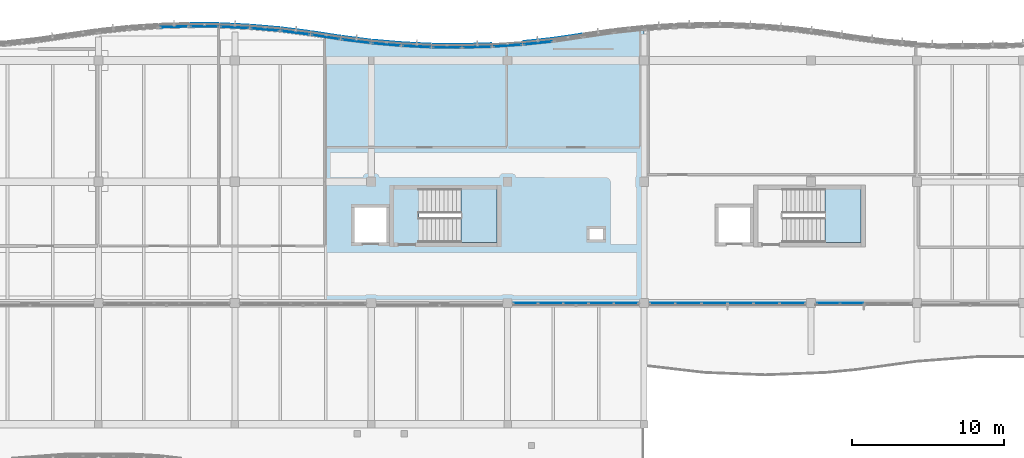
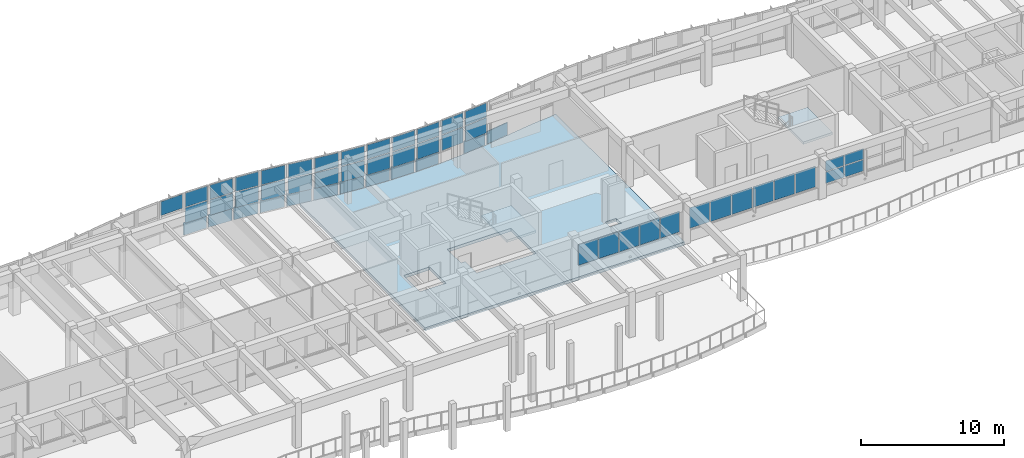
# One storey, part 50 of 89: 52 plates, 3 slabs, 18 elements without a shape of their own.
"""IFC4 building model written with IfcOpenShell, lengths in metres."""

from ifc_helpers import new_model, si_unit, direction, frame, origin, origin_2d, place, context, subcontext, project, spatial, polyline, rectangle, outline, extrude, material, layer, layer_set, type_object, element, aggregate, save


model = new_model("IFC4")

# Units and contexts
model_context = context("Model", 3, precision=1e-05, world=origin(), true_north=direction((0.0, 1.0)))
body_context = subcontext(model_context, "Body", "Model", "MODEL_VIEW")
ifc_project = project(units=[si_unit("LENGTHUNIT", "METRE"), si_unit("AREAUNIT", "SQUARE_METRE"), si_unit("VOLUMEUNIT", "CUBIC_METRE"), si_unit("PLANEANGLEUNIT", "RADIAN"), si_unit("MASSUNIT", "GRAM", prefix="KILO")], contexts=[model_context])

# Site, building, storey
site_placement = place(None, origin())
site = spatial("IfcSite", under=ifc_project, at=site_placement, CompositionType="ELEMENT")
building_placement = place(site_placement, origin())
building = spatial("IfcBuilding", under=site, at=building_placement, Name="Tonlespit Floodbar School", CompositionType="ELEMENT")
storey_placement = place(building_placement, frame((0.0, 0.0, 4.5)))
storey = spatial("IfcBuildingStorey", under=building, at=storey_placement, Name="L01", CompositionType="ELEMENT", Elevation=4.5)

# Curtain wall, plates
ifc_material_1 = material(Name="Anodised Aluminium", Category="aluminium")
ifc_layer_1 = layer(ifc_material_1, 0.159912109375)
ifc_layer_set_1 = layer_set([ifc_layer_1], Name="Anodised Aluminium")
curtain_wall_type_1 = type_object("IfcCurtainWallType", Name="CurtainWall_1900x2700", PredefinedType="NOTDEFINED", material=ifc_layer_set_1)
curtain_wall_1_placement = place(storey_placement, origin())
curtain_wall_1 = element("IfcCurtainWall", 1, at=curtain_wall_1_placement, inside=storey, type_object=curtain_wall_type_1, Name="L01 unitised curtain wall 0061", PredefinedType="NOTDEFINED")
ifc_material_2 = material(Name="Laminated Low-E Glass", Category="glass")
ifc_layer_2 = layer(ifc_material_2, 0.028076171875)
ifc_layer_set_2 = layer_set([ifc_layer_2], Name="Laminated Low-E Glass")
plate_type_1 = type_object("IfcPlateType", Name="CW_Panel_Glaz_28", PredefinedType="CURTAIN_PANEL", material=ifc_layer_set_2)
plate_1_placement = place(storey_placement, frame((87.0, 122.2373046875, 1.01513671875), z_axis=(0.0, 0.0, 1.0), x_axis=(0.999954083024, -0.009582893292, 0.0)))
plate_1 = element("IfcPlate", 2, at=plate_1_placement, type_object=plate_type_1, Name="CW-05 panel 1.1", PredefinedType="CURTAIN_PANEL", context=body_context, shape_type="SweptSolid", body=[
    extrude(rectangle(XDim=1.7900390625, YDim=0.028076171875, at=origin_2d()), origin(), (0.0, 0.0, 1.0), 1.306396484375),
])
plate_2_placement = place(storey_placement, frame((87.0, 122.2373046875, 2.38671875), z_axis=(0.0, 0.0, 1.0), x_axis=(0.999954083024, -0.009582893292, 0.0)))
plate_2 = element("IfcPlate", 3, at=plate_2_placement, type_object=plate_type_1, Name="CW-05 panel 1.2", PredefinedType="CURTAIN_PANEL", context=body_context, shape_type="SweptSolid", body=[
    extrude(rectangle(XDim=1.7900390625, YDim=0.028076171875, at=origin_2d()), origin(), (0.0, 0.0, 1.0), 1.198486328125),
])
aggregate(curtain_wall_1, [plate_1, plate_2])

ifc_layer_3 = layer(ifc_material_1, 0.159912109375)
ifc_layer_set_3 = layer_set([ifc_layer_3], Name="Anodised Aluminium")
curtain_wall_type_2 = type_object("IfcCurtainWallType", Name="CurtainWall_1950x2700", PredefinedType="NOTDEFINED", material=ifc_layer_set_3)
curtain_wall_2_placement = place(storey_placement, origin())
curtain_wall_2 = element("IfcCurtainWall", 4, at=curtain_wall_2_placement, inside=storey, type_object=curtain_wall_type_2, Name="L01 unitised curtain wall 0065", PredefinedType="NOTDEFINED")
plate_3_placement = place(storey_placement, frame((95.0, 121.550048828125, 1.01513671875), z_axis=(0.0, 0.0, 1.0), x_axis=(0.988102576465, -0.153796288585, 0.0)))
plate_3 = element("IfcPlate", 5, at=plate_3_placement, type_object=plate_type_1, Name="CW-04 panel 1.1", PredefinedType="CURTAIN_PANEL", context=body_context, shape_type="SweptSolid", body=[
    extrude(rectangle(XDim=1.814208984375, YDim=0.028076171875, at=origin_2d()), origin(), (0.0, 0.0, 1.0), 1.306396484375),
])
plate_4_placement = place(storey_placement, frame((95.0, 121.550048828125, 2.38671875), z_axis=(0.0, 0.0, 1.0), x_axis=(0.988102576465, -0.153796288585, 0.0)))
plate_4 = element("IfcPlate", 6, at=plate_4_placement, type_object=plate_type_1, Name="CW-04 panel 1.2", PredefinedType="CURTAIN_PANEL", context=body_context, shape_type="SweptSolid", body=[
    extrude(rectangle(XDim=1.814208984375, YDim=0.028076171875, at=origin_2d()), origin(), (0.0, 0.0, 1.0), 1.198486328125),
])
aggregate(curtain_wall_2, [plate_3, plate_4])

curtain_wall_3_placement = place(storey_placement, origin())
curtain_wall_3 = element("IfcCurtainWall", 7, at=curtain_wall_3_placement, inside=storey, type_object=curtain_wall_type_1, Name="L01 unitised curtain wall 0069", PredefinedType="NOTDEFINED")
plate_5_placement = place(storey_placement, frame((103.0, 120.862548828125, 1.01513671875), z_axis=(0.0, 0.0, 1.0), x_axis=(0.999954083024, -0.009582893292, 0.0)))
plate_5 = element("IfcPlate", 8, at=plate_5_placement, type_object=plate_type_1, Name="CW-05 panel 1.1", PredefinedType="CURTAIN_PANEL", context=body_context, shape_type="SweptSolid", body=[
    extrude(rectangle(XDim=1.7900390625, YDim=0.028076171875, at=origin_2d()), origin(), (0.0, 0.0, 1.0), 1.306396484375),
])
plate_6_placement = place(storey_placement, frame((103.0, 120.862548828125, 2.38671875), z_axis=(0.0, 0.0, 1.0), x_axis=(0.999954083024, -0.009582893292, 0.0)))
plate_6 = element("IfcPlate", 9, at=plate_6_placement, type_object=plate_type_1, Name="CW-05 panel 1.2", PredefinedType="CURTAIN_PANEL", context=body_context, shape_type="SweptSolid", body=[
    extrude(rectangle(XDim=1.7900390625, YDim=0.028076171875, at=origin_2d()), origin(), (0.0, 0.0, 1.0), 1.198486328125),
])
aggregate(curtain_wall_3, [plate_5, plate_6])

ifc_layer_4 = layer(ifc_material_1, 0.159912109375)
ifc_layer_set_4 = layer_set([ifc_layer_4], Name="Anodised Aluminium")
curtain_wall_type_3 = type_object("IfcCurtainWallType", Name="CurtainWall_6300x2050", PredefinedType="NOTDEFINED", material=ifc_layer_set_4)
curtain_wall_4_placement = place(storey_placement, origin())
curtain_wall_4 = element("IfcCurtainWall", 10, at=curtain_wall_4_placement, inside=storey, type_object=curtain_wall_type_3, Name="L01 unitised curtain wall 0409", PredefinedType="NOTDEFINED")
plate_7_placement = place(storey_placement, frame((129.7099609375, 104.0, 1.01513671875), z_axis=(0.0, 0.0, 1.0), x_axis=(-1.0, 0.0, 0.0)))
plate_7 = element("IfcPlate", 11, at=plate_7_placement, type_object=plate_type_1, Name="CW-61 panel 3.1", PredefinedType="CURTAIN_PANEL", context=body_context, shape_type="SweptSolid", body=[
    extrude(rectangle(XDim=1.514892578125, YDim=0.028076171875, at=origin_2d()), origin(), (0.0, 0.0, 1.0), 0.9658203125),
])
plate_8_placement = place(storey_placement, frame((129.7099609375, 104.0, 2.0458984375), z_axis=(0.0, 0.0, 1.0), x_axis=(-1.0, 0.0, 0.0)))
plate_8 = element("IfcPlate", 12, at=plate_8_placement, type_object=plate_type_1, Name="CW-61 panel 3.2", PredefinedType="CURTAIN_PANEL", context=body_context, shape_type="SweptSolid", body=[
    extrude(rectangle(XDim=1.514892578125, YDim=0.028076171875, at=origin_2d()), origin(), (0.0, 0.0, 1.0), 0.884033203125),
])
plate_9_placement = place(storey_placement, frame((128.146240234375, 104.0, 1.01513671875), z_axis=(0.0, 0.0, 1.0), x_axis=(-1.0, 0.0, 0.0)))
plate_9 = element("IfcPlate", 13, at=plate_9_placement, type_object=plate_type_1, Name="CW-61 panel 4.1", PredefinedType="CURTAIN_PANEL", context=body_context, shape_type="SweptSolid", body=[
    extrude(rectangle(XDim=1.482421875, YDim=0.028076171875, at=origin_2d()), origin(), (0.0, 0.0, 1.0), 0.9658203125),
])
plate_10_placement = place(storey_placement, frame((128.146240234375, 104.0, 2.0458984375), z_axis=(0.0, 0.0, 1.0), x_axis=(-1.0, 0.0, 0.0)))
plate_10 = element("IfcPlate", 14, at=plate_10_placement, type_object=plate_type_1, Name="CW-61 panel 4.2", PredefinedType="CURTAIN_PANEL", context=body_context, shape_type="SweptSolid", body=[
    extrude(rectangle(XDim=1.482421875, YDim=0.028076171875, at=origin_2d()), origin(), (0.0, 0.0, 1.0), 0.884033203125),
])
aggregate(curtain_wall_4, [plate_7, plate_8, plate_9, plate_10])

curtain_wall_5_placement = place(storey_placement, origin())
curtain_wall_5 = element("IfcCurtainWall", 15, at=curtain_wall_5_placement, inside=storey, type_object=curtain_wall_type_1, Name="L01 unitised curtain wall 0062", PredefinedType="NOTDEFINED")
ifc_layer_5 = layer(ifc_material_2, 0.031982421875)
ifc_layer_set_5 = layer_set([ifc_layer_5], Name="Laminated Low-E Glass")
plate_type_2 = type_object("IfcPlateType", Name="CW_Panel_Glaz_32", PredefinedType="CURTAIN_PANEL", material=ifc_layer_set_5)
plate_11_placement = place(storey_placement, frame((89.0, 122.1796875, 1.01513671875), z_axis=(0.0, 0.0, 1.0), x_axis=(0.998841500616, -0.048121270216, 0.0)))
plate_11 = element("IfcPlate", 16, at=plate_11_placement, type_object=plate_type_2, Name="CW-05 panel 1.1", PredefinedType="CURTAIN_PANEL", context=body_context, shape_type="SweptSolid", body=[
    extrude(rectangle(XDim=1.792236328125, YDim=0.031982421875, at=origin_2d()), origin(), (0.0, 0.0, 1.0), 1.306396484375),
])
plate_12_placement = place(storey_placement, frame((89.0, 122.1796875, 2.38671875), z_axis=(0.0, 0.0, 1.0), x_axis=(0.998841500616, -0.048121270216, 0.0)))
plate_12 = element("IfcPlate", 17, at=plate_12_placement, type_object=plate_type_2, Name="CW-05 panel 1.2", PredefinedType="CURTAIN_PANEL", context=body_context, shape_type="SweptSolid", body=[
    extrude(rectangle(XDim=1.792236328125, YDim=0.031982421875, at=origin_2d()), origin(), (0.0, 0.0, 1.0), 1.198486328125),
])
aggregate(curtain_wall_5, [plate_11, plate_12])

curtain_wall_6_placement = place(storey_placement, origin())
curtain_wall_6 = element("IfcCurtainWall", 18, at=curtain_wall_6_placement, inside=storey, type_object=curtain_wall_type_2, Name="L01 unitised curtain wall 0066", PredefinedType="NOTDEFINED")
plate_13_placement = place(storey_placement, frame((97.0, 121.268310546875, 1.01513671875), z_axis=(0.0, 0.0, 1.0), x_axis=(0.992155002499, -0.125013803299, 0.0)))
plate_13 = element("IfcPlate", 19, at=plate_13_placement, type_object=plate_type_2, Name="CW-04 panel 1.1", PredefinedType="CURTAIN_PANEL", context=body_context, shape_type="SweptSolid", body=[
    extrude(rectangle(XDim=1.805908203125, YDim=0.031982421875, at=origin_2d()), origin(), (0.0, 0.0, 1.0), 1.306396484375),
])
plate_14_placement = place(storey_placement, frame((97.0, 121.268310546875, 2.38671875), z_axis=(0.0, 0.0, 1.0), x_axis=(0.992155002499, -0.125013803299, 0.0)))
plate_14 = element("IfcPlate", 20, at=plate_14_placement, type_object=plate_type_2, Name="CW-04 panel 1.2", PredefinedType="CURTAIN_PANEL", context=body_context, shape_type="SweptSolid", body=[
    extrude(rectangle(XDim=1.805908203125, YDim=0.031982421875, at=origin_2d()), origin(), (0.0, 0.0, 1.0), 1.198486328125),
])
aggregate(curtain_wall_6, [plate_13, plate_14])

curtain_wall_7_placement = place(storey_placement, origin())
curtain_wall_7 = element("IfcCurtainWall", 21, at=curtain_wall_7_placement, inside=storey, type_object=curtain_wall_type_1, Name="L01 unitised curtain wall 0070", PredefinedType="NOTDEFINED")
plate_15_placement = place(storey_placement, frame((105.0, 120.8818359375, 1.01513671875), z_axis=(0.0, 0.0, 1.0), x_axis=(0.999585477883, 0.028790144226, 0.0)))
plate_15 = element("IfcPlate", 22, at=plate_15_placement, type_object=plate_type_2, Name="CW-05 panel 1.1", PredefinedType="CURTAIN_PANEL", context=body_context, shape_type="SweptSolid", body=[
    extrude(rectangle(XDim=1.790771484375, YDim=0.031982421875, at=origin_2d()), origin(), (0.0, 0.0, 1.0), 1.306396484375),
])
plate_16_placement = place(storey_placement, frame((105.0, 120.8818359375, 2.38671875), z_axis=(0.0, 0.0, 1.0), x_axis=(0.999585477883, 0.028790144226, 0.0)))
plate_16 = element("IfcPlate", 23, at=plate_16_placement, type_object=plate_type_2, Name="CW-05 panel 1.2", PredefinedType="CURTAIN_PANEL", context=body_context, shape_type="SweptSolid", body=[
    extrude(rectangle(XDim=1.790771484375, YDim=0.031982421875, at=origin_2d()), origin(), (0.0, 0.0, 1.0), 1.198486328125),
])
aggregate(curtain_wall_7, [plate_15, plate_16])

ifc_layer_6 = layer(ifc_material_1, 0.159912109375)
ifc_layer_set_6 = layer_set([ifc_layer_6], Name="Anodised Aluminium")
curtain_wall_type_4 = type_object("IfcCurtainWallType", Name="CurtainWall_10300x1900", PredefinedType="NOTDEFINED", material=ifc_layer_set_6)
curtain_wall_8_placement = place(storey_placement, origin())
curtain_wall_8 = element("IfcCurtainWall", 24, at=curtain_wall_8_placement, inside=storey, type_object=curtain_wall_type_4, Name="L01 unitised curtain wall 0410", PredefinedType="NOTDEFINED")
plate_17_placement = place(storey_placement, frame((125.78369140625, 104.0, 1.01513671875), z_axis=(0.0, 0.0, 1.0), x_axis=(-1.0, 0.0, 0.0)))
plate_17 = element("IfcPlate", 25, at=plate_17_placement, type_object=plate_type_2, Name="CW-62 panel 1.1", PredefinedType="CURTAIN_PANEL", context=body_context, shape_type="SweptSolid", body=[
    extrude(rectangle(XDim=1.62255859375, YDim=0.031982421875, at=origin_2d()), origin(), (0.0, 0.0, 1.0), 1.764892578125),
])
plate_18_placement = place(storey_placement, frame((124.080078125, 104.0, 1.01513671875), z_axis=(0.0, 0.0, 1.0), x_axis=(-1.0, 0.0, 0.0)))
plate_18 = element("IfcPlate", 26, at=plate_18_placement, type_object=plate_type_2, Name="CW-62 panel 2.1", PredefinedType="CURTAIN_PANEL", context=body_context, shape_type="SweptSolid", body=[
    extrude(rectangle(XDim=1.655029296875, YDim=0.031982421875, at=origin_2d()), origin(), (0.0, 0.0, 1.0), 1.764892578125),
])
plate_19_placement = place(storey_placement, frame((122.360107421875, 104.0, 1.01513671875), z_axis=(0.0, 0.0, 1.0), x_axis=(-1.0, 0.0, 0.0)))
plate_19 = element("IfcPlate", 27, at=plate_19_placement, type_object=plate_type_2, Name="CW-62 panel 3.1", PredefinedType="CURTAIN_PANEL", context=body_context, shape_type="SweptSolid", body=[
    extrude(rectangle(XDim=1.655029296875, YDim=0.031982421875, at=origin_2d()), origin(), (0.0, 0.0, 1.0), 1.764892578125),
])
plate_20_placement = place(storey_placement, frame((120.639892578125, 104.0, 1.01513671875), z_axis=(0.0, 0.0, 1.0), x_axis=(-1.0, 0.0, 0.0)))
plate_20 = element("IfcPlate", 28, at=plate_20_placement, type_object=plate_type_2, Name="CW-62 panel 4.1", PredefinedType="CURTAIN_PANEL", context=body_context, shape_type="SweptSolid", body=[
    extrude(rectangle(XDim=1.655029296875, YDim=0.031982421875, at=origin_2d()), origin(), (0.0, 0.0, 1.0), 1.764892578125),
])
plate_21_placement = place(storey_placement, frame((118.919921875, 104.0, 1.01513671875), z_axis=(0.0, 0.0, 1.0), x_axis=(-1.0, 0.0, 0.0)))
plate_21 = element("IfcPlate", 29, at=plate_21_placement, type_object=plate_type_2, Name="CW-62 panel 5.1", PredefinedType="CURTAIN_PANEL", context=body_context, shape_type="SweptSolid", body=[
    extrude(rectangle(XDim=1.655029296875, YDim=0.031982421875, at=origin_2d()), origin(), (0.0, 0.0, 1.0), 1.764892578125),
])
plate_22_placement = place(storey_placement, frame((117.21630859375, 104.0, 1.01513671875), z_axis=(0.0, 0.0, 1.0), x_axis=(-1.0, 0.0, 0.0)))
plate_22 = element("IfcPlate", 30, at=plate_22_placement, type_object=plate_type_2, Name="CW-62 panel 6.1", PredefinedType="CURTAIN_PANEL", context=body_context, shape_type="SweptSolid", body=[
    extrude(rectangle(XDim=1.62255859375, YDim=0.031982421875, at=origin_2d()), origin(), (0.0, 0.0, 1.0), 1.764892578125),
])
aggregate(curtain_wall_8, [plate_17, plate_18, plate_19, plate_20, plate_21, plate_22])

curtain_wall_9_placement = place(storey_placement, origin())
curtain_wall_9 = element("IfcCurtainWall", 31, at=curtain_wall_9_placement, inside=storey, type_object=curtain_wall_type_2, Name="L01 unitised curtain wall 0063", PredefinedType="NOTDEFINED")
ifc_layer_7 = layer(ifc_material_2, 0.035888671875)
ifc_layer_set_7 = layer_set([ifc_layer_7], Name="Laminated Low-E Glass")
plate_type_3 = type_object("IfcPlateType", Name="CW_Panel_Glaz_36", PredefinedType="CURTAIN_PANEL", material=ifc_layer_set_7)
plate_23_placement = place(storey_placement, frame((91.0, 122.044677734375, 1.01513671875), z_axis=(0.0, 0.0, 1.0), x_axis=(0.996249148412, -0.086531117454, 0.0)))
plate_23 = element("IfcPlate", 32, at=plate_23_placement, type_object=plate_type_3, Name="CW-04 panel 1.1", PredefinedType="CURTAIN_PANEL", context=body_context, shape_type="SweptSolid", body=[
    extrude(rectangle(XDim=1.797607421875, YDim=0.035888671875, at=origin_2d()), origin(), (0.0, 0.0, 1.0), 1.306396484375),
])
plate_24_placement = place(storey_placement, frame((91.0, 122.044677734375, 2.38671875), z_axis=(0.0, 0.0, 1.0), x_axis=(0.996249148412, -0.086531117454, 0.0)))
plate_24 = element("IfcPlate", 33, at=plate_24_placement, type_object=plate_type_3, Name="CW-04 panel 1.2", PredefinedType="CURTAIN_PANEL", context=body_context, shape_type="SweptSolid", body=[
    extrude(rectangle(XDim=1.797607421875, YDim=0.035888671875, at=origin_2d()), origin(), (0.0, 0.0, 1.0), 1.198486328125),
])
aggregate(curtain_wall_9, [plate_23, plate_24])

curtain_wall_10_placement = place(storey_placement, origin())
curtain_wall_10 = element("IfcCurtainWall", 34, at=curtain_wall_10_placement, inside=storey, type_object=curtain_wall_type_2, Name="L01 unitised curtain wall 0067", PredefinedType="NOTDEFINED")
plate_25_placement = place(storey_placement, frame((99.0, 121.055419921875, 1.01513671875), z_axis=(0.0, 0.0, 1.0), x_axis=(0.996249148412, -0.086531117454, 0.0)))
plate_25 = element("IfcPlate", 35, at=plate_25_placement, type_object=plate_type_3, Name="CW-04 panel 1.1", PredefinedType="CURTAIN_PANEL", context=body_context, shape_type="SweptSolid", body=[
    extrude(rectangle(XDim=1.797607421875, YDim=0.035888671875, at=origin_2d()), origin(), (0.0, 0.0, 1.0), 1.306396484375),
])
plate_26_placement = place(storey_placement, frame((99.0, 121.055419921875, 2.38671875), z_axis=(0.0, 0.0, 1.0), x_axis=(0.996249148412, -0.086531117454, 0.0)))
plate_26 = element("IfcPlate", 36, at=plate_26_placement, type_object=plate_type_3, Name="CW-04 panel 1.2", PredefinedType="CURTAIN_PANEL", context=body_context, shape_type="SweptSolid", body=[
    extrude(rectangle(XDim=1.797607421875, YDim=0.035888671875, at=origin_2d()), origin(), (0.0, 0.0, 1.0), 1.198486328125),
])
aggregate(curtain_wall_10, [plate_25, plate_26])

curtain_wall_11_placement = place(storey_placement, origin())
curtain_wall_11 = element("IfcCurtainWall", 37, at=curtain_wall_11_placement, inside=storey, type_object=curtain_wall_type_1, Name="L01 unitised curtain wall 0071", PredefinedType="NOTDEFINED")
plate_27_placement = place(storey_placement, frame((107.0, 120.978271484375, 1.01513671875), z_axis=(0.0, 0.0, 1.0), x_axis=(0.99773010165, 0.067339767311, 0.0)))
plate_27 = element("IfcPlate", 38, at=plate_27_placement, type_object=plate_type_3, Name="CW-05 panel 1.1", PredefinedType="CURTAIN_PANEL", context=body_context, shape_type="SweptSolid", body=[
    extrude(rectangle(XDim=1.794677734375, YDim=0.035888671875, at=origin_2d()), origin(), (0.0, 0.0, 1.0), 1.306396484375),
])
plate_28_placement = place(storey_placement, frame((107.0, 120.978271484375, 2.38671875), z_axis=(0.0, 0.0, 1.0), x_axis=(0.99773010165, 0.067339767311, 0.0)))
plate_28 = element("IfcPlate", 39, at=plate_28_placement, type_object=plate_type_3, Name="CW-05 panel 1.2", PredefinedType="CURTAIN_PANEL", context=body_context, shape_type="SweptSolid", body=[
    extrude(rectangle(XDim=1.794677734375, YDim=0.035888671875, at=origin_2d()), origin(), (0.0, 0.0, 1.0), 1.198486328125),
])
aggregate(curtain_wall_11, [plate_27, plate_28])

# Curtain wall, plate
curtain_wall_12_placement = place(storey_placement, origin())
curtain_wall_12 = element("IfcCurtainWall", 40, at=curtain_wall_12_placement, inside=storey, type_object=curtain_wall_type_1, Name="L01 unitised curtain wall 0060", PredefinedType="NOTDEFINED")
ifc_layer_8 = layer(ifc_material_2, 0.0419921875)
ifc_layer_set_8 = layer_set([ifc_layer_8], Name="Laminated Low-E Glass")
plate_type_4 = type_object("IfcPlateType", Name="CW_Panel_Glaz_42", PredefinedType="CURTAIN_PANEL", material=ifc_layer_set_8)
plate_29_placement = place(storey_placement, frame((85.0, 122.21826171875, 2.38671875), z_axis=(0.0, 0.0, 1.0), x_axis=(0.999585477883, 0.028790144226, 0.0)))
plate_29 = element("IfcPlate", 41, at=plate_29_placement, type_object=plate_type_4, Name="CW-05 panel 1.2", PredefinedType="CURTAIN_PANEL", context=body_context, shape_type="SweptSolid", body=[
    extrude(rectangle(XDim=1.790771484375, YDim=0.0419921875, at=origin_2d()), origin(), (0.0, 0.0, 1.0), 1.198486328125),
])
aggregate(curtain_wall_12, [plate_29])

# Curtain wall, plates
curtain_wall_13_placement = place(storey_placement, origin())
curtain_wall_13 = element("IfcCurtainWall", 42, at=curtain_wall_13_placement, inside=storey, type_object=curtain_wall_type_2, Name="L01 unitised curtain wall 0064", PredefinedType="NOTDEFINED")
plate_30_placement = place(storey_placement, frame((93.0, 121.831787109375, 1.01513671875), z_axis=(0.0, 0.0, 1.0), x_axis=(0.992155002499, -0.125013803299, 0.0)))
plate_30 = element("IfcPlate", 43, at=plate_30_placement, type_object=plate_type_4, Name="CW-04 panel 1.1", PredefinedType="CURTAIN_PANEL", context=body_context, shape_type="SweptSolid", body=[
    extrude(rectangle(XDim=1.805908203125, YDim=0.0419921875, at=origin_2d()), origin(), (0.0, 0.0, 1.0), 1.306396484375),
])
plate_31_placement = place(storey_placement, frame((93.0, 121.831787109375, 2.38671875), z_axis=(0.0, 0.0, 1.0), x_axis=(0.992155002499, -0.125013803299, 0.0)))
plate_31 = element("IfcPlate", 44, at=plate_31_placement, type_object=plate_type_4, Name="CW-04 panel 1.2", PredefinedType="CURTAIN_PANEL", context=body_context, shape_type="SweptSolid", body=[
    extrude(rectangle(XDim=1.805908203125, YDim=0.0419921875, at=origin_2d()), origin(), (0.0, 0.0, 1.0), 1.198486328125),
])
aggregate(curtain_wall_13, [plate_30, plate_31])

curtain_wall_14_placement = place(storey_placement, origin())
curtain_wall_14 = element("IfcCurtainWall", 45, at=curtain_wall_14_placement, inside=storey, type_object=curtain_wall_type_1, Name="L01 unitised curtain wall 0068", PredefinedType="NOTDEFINED")
plate_32_placement = place(storey_placement, frame((101.0, 120.92041015625, 1.01513671875), z_axis=(0.0, 0.0, 1.0), x_axis=(0.998841500616, -0.048121270216, 0.0)))
plate_32 = element("IfcPlate", 46, at=plate_32_placement, type_object=plate_type_4, Name="CW-05 panel 1.1", PredefinedType="CURTAIN_PANEL", context=body_context, shape_type="SweptSolid", body=[
    extrude(rectangle(XDim=1.792236328125, YDim=0.0419921875, at=origin_2d()), origin(), (0.0, 0.0, 1.0), 1.306396484375),
])
plate_33_placement = place(storey_placement, frame((101.0, 120.92041015625, 2.38671875), z_axis=(0.0, 0.0, 1.0), x_axis=(0.998841500616, -0.048121270216, 0.0)))
plate_33 = element("IfcPlate", 47, at=plate_33_placement, type_object=plate_type_4, Name="CW-05 panel 1.2", PredefinedType="CURTAIN_PANEL", context=body_context, shape_type="SweptSolid", body=[
    extrude(rectangle(XDim=1.792236328125, YDim=0.0419921875, at=origin_2d()), origin(), (0.0, 0.0, 1.0), 1.198486328125),
])
aggregate(curtain_wall_14, [plate_32, plate_33])

curtain_wall_15_placement = place(storey_placement, origin())
curtain_wall_15 = element("IfcCurtainWall", 48, at=curtain_wall_15_placement, inside=storey, type_object=curtain_wall_type_2, Name="L01 unitised curtain wall 0072", PredefinedType="NOTDEFINED")
plate_34_placement = place(storey_placement, frame((109.0, 121.152099609375, 1.01513671875), z_axis=(0.0, 0.0, 1.0), x_axis=(0.994388797288, 0.105787143968, 0.0)))
plate_34 = element("IfcPlate", 49, at=plate_34_placement, type_object=plate_type_4, Name="CW-04 panel 1.1", PredefinedType="CURTAIN_PANEL", context=body_context, shape_type="SweptSolid", body=[
    extrude(rectangle(XDim=1.80126953125, YDim=0.0419921875, at=origin_2d()), origin(), (0.0, 0.0, 1.0), 1.306396484375),
])
plate_35_placement = place(storey_placement, frame((109.0, 121.152099609375, 2.38671875), z_axis=(0.0, 0.0, 1.0), x_axis=(0.994388797288, 0.105787143968, 0.0)))
plate_35 = element("IfcPlate", 50, at=plate_35_placement, type_object=plate_type_4, Name="CW-04 panel 1.2", PredefinedType="CURTAIN_PANEL", context=body_context, shape_type="SweptSolid", body=[
    extrude(rectangle(XDim=1.80126953125, YDim=0.0419921875, at=origin_2d()), origin(), (0.0, 0.0, 1.0), 1.198486328125),
])
aggregate(curtain_wall_15, [plate_34, plate_35])

ifc_layer_9 = layer(ifc_material_1, 0.159912109375)
ifc_layer_set_9 = layer_set([ifc_layer_9], Name="Anodised Aluminium")
curtain_wall_type_5 = type_object("IfcCurtainWallType", Name="CurtainWall_8300x1900", PredefinedType="NOTDEFINED", material=ifc_layer_set_9)
curtain_wall_16_placement = place(storey_placement, origin())
curtain_wall_16 = element("IfcCurtainWall", 51, at=curtain_wall_16_placement, inside=storey, type_object=curtain_wall_type_5, Name="L01 unitised curtain wall 0076", PredefinedType="NOTDEFINED")
plate_36_placement = place(storey_placement, frame((114.811767578125, 104.0, 1.01513671875), z_axis=(0.0, 0.0, 1.0), x_axis=(-1.0, 0.0, 0.0)))
plate_36 = element("IfcPlate", 52, at=plate_36_placement, type_object=plate_type_4, Name="CW-06 panel 1.1", PredefinedType="CURTAIN_PANEL", context=body_context, shape_type="SweptSolid", body=[
    extrude(rectangle(XDim=1.56640625, YDim=0.0419921875, at=origin_2d()), origin(), (0.0, 0.0, 1.0), 1.764892578125),
])
plate_37_placement = place(storey_placement, frame((113.1640625, 104.0, 1.01513671875), z_axis=(0.0, 0.0, 1.0), x_axis=(-1.0, 0.0, 0.0)))
plate_37 = element("IfcPlate", 53, at=plate_37_placement, type_object=plate_type_4, Name="CW-06 panel 2.1", PredefinedType="CURTAIN_PANEL", context=body_context, shape_type="SweptSolid", body=[
    extrude(rectangle(XDim=1.59912109375, YDim=0.0419921875, at=origin_2d()), origin(), (0.0, 0.0, 1.0), 1.764892578125),
])
plate_38_placement = place(storey_placement, frame((111.5, 104.0, 1.01513671875), z_axis=(0.0, 0.0, 1.0), x_axis=(-1.0, 0.0, 0.0)))
plate_38 = element("IfcPlate", 54, at=plate_38_placement, type_object=plate_type_4, Name="CW-06 panel 3.1", PredefinedType="CURTAIN_PANEL", context=body_context, shape_type="SweptSolid", body=[
    extrude(rectangle(XDim=1.59912109375, YDim=0.0419921875, at=origin_2d()), origin(), (0.0, 0.0, 1.0), 1.764892578125),
])
plate_39_placement = place(storey_placement, frame((109.8359375, 104.0, 1.01513671875), z_axis=(0.0, 0.0, 1.0), x_axis=(-1.0, 0.0, 0.0)))
plate_39 = element("IfcPlate", 55, at=plate_39_placement, type_object=plate_type_4, Name="CW-06 panel 4.1", PredefinedType="CURTAIN_PANEL", context=body_context, shape_type="SweptSolid", body=[
    extrude(rectangle(XDim=1.59912109375, YDim=0.0419921875, at=origin_2d()), origin(), (0.0, 0.0, 1.0), 1.764892578125),
])
plate_40_placement = place(storey_placement, frame((108.188232421875, 104.0, 1.01513671875), z_axis=(0.0, 0.0, 1.0), x_axis=(-1.0, 0.0, 0.0)))
plate_40 = element("IfcPlate", 56, at=plate_40_placement, type_object=plate_type_4, Name="CW-06 panel 5.1", PredefinedType="CURTAIN_PANEL", context=body_context, shape_type="SweptSolid", body=[
    extrude(rectangle(XDim=1.56640625, YDim=0.0419921875, at=origin_2d()), origin(), (0.0, 0.0, 1.0), 1.764892578125),
])
aggregate(curtain_wall_16, [plate_36, plate_37, plate_38, plate_39, plate_40])

# Plates
ifc_material_3 = material(Name="White Architectural Aluminium", Category="aluminium")
ifc_layer_10 = layer(ifc_material_3, 0.06494140625)
ifc_layer_set_10 = layer_set([ifc_layer_10], Name="White Architectural Aluminium")
plate_type_5 = type_object("IfcPlateType", Name="FacadeRibbon_White_65", PredefinedType="SHEET", material=ifc_layer_set_10)
plate_41_placement = place(storey_placement, frame((87.001708984375, 122.41943359375, -0.1201171875), z_axis=(0.0, 0.0, 1.0), x_axis=(0.999953926969, -0.009599163462, 0.0)))
element("IfcPlate", 57, at=plate_41_placement, inside=storey, type_object=plate_type_5, Name="L01 flowing white street spandrel ribbon 0069", PredefinedType="SHEET", context=body_context, shape_type="SweptSolid", body=[
    extrude(rectangle(XDim=1.840087890625, YDim=0.06494140625, at=origin_2d()), origin(), (0.0, 0.0, 1.0), 1.070068359375),
])
plate_42_placement = place(storey_placement, frame((89.0087890625, 122.361328125, -0.1201171875), z_axis=(0.0, 0.0, 1.0), x_axis=(0.998842769234, -0.048094930587, 0.0)))
element("IfcPlate", 58, at=plate_42_placement, inside=storey, type_object=plate_type_5, Name="L01 flowing white street spandrel ribbon 0070", PredefinedType="SHEET", context=body_context, shape_type="SweptSolid", body=[
    extrude(rectangle(XDim=1.84228515625, YDim=0.06494140625, at=origin_2d()), origin(), (0.0, 0.0, 1.0), 1.070068359375),
])
plate_43_placement = place(storey_placement, frame((91.015869140625, 122.225830078125, -0.1201171875), z_axis=(0.0, 0.0, 1.0), x_axis=(0.996245486492, -0.086573267488, 0.0)))
element("IfcPlate", 59, at=plate_43_placement, inside=storey, type_object=plate_type_5, Name="L01 flowing white street spandrel ribbon 0071", PredefinedType="SHEET", context=body_context, shape_type="SweptSolid", body=[
    extrude(rectangle(XDim=1.847412109375, YDim=0.06494140625, at=origin_2d()), origin(), (0.0, 0.0, 1.0), 1.070068359375),
])
plate_44_placement = place(storey_placement, frame((93.022705078125, 122.01220703125, -0.1201171875), z_axis=(0.0, 0.0, 1.0), x_axis=(0.99215533612, -0.125011155539, 0.0)))
element("IfcPlate", 60, at=plate_44_placement, inside=storey, type_object=plate_type_5, Name="L01 flowing white street spandrel ribbon 0072", PredefinedType="SHEET", context=body_context, shape_type="SweptSolid", body=[
    extrude(rectangle(XDim=1.855712890625, YDim=0.06494140625, at=origin_2d()), origin(), (0.0, 0.0, 1.0), 1.070068359375),
])
plate_45_placement = place(storey_placement, frame((95.028076171875, 121.729736328125, -0.1201171875), z_axis=(0.0, 0.0, 1.0), x_axis=(0.988094768361, -0.153846445322, 0.0)))
element("IfcPlate", 61, at=plate_45_placement, inside=storey, type_object=plate_type_5, Name="L01 flowing white street spandrel ribbon 0073", PredefinedType="SHEET", context=body_context, shape_type="SweptSolid", body=[
    extrude(rectangle(XDim=1.864013671875, YDim=0.06494140625, at=origin_2d()), origin(), (0.0, 0.0, 1.0), 1.070068359375),
])
plate_46_placement = place(storey_placement, frame((97.022705078125, 121.448974609375, -0.1201171875), z_axis=(0.0, 0.0, 1.0), x_axis=(0.99215533612, -0.125011155539, 0.0)))
element("IfcPlate", 62, at=plate_46_placement, inside=storey, type_object=plate_type_5, Name="L01 flowing white street spandrel ribbon 0074", PredefinedType="SHEET", context=body_context, shape_type="SweptSolid", body=[
    extrude(rectangle(XDim=1.855712890625, YDim=0.06494140625, at=origin_2d()), origin(), (0.0, 0.0, 1.0), 1.070068359375),
])
plate_47_placement = place(storey_placement, frame((99.015869140625, 121.23681640625, -0.1201171875), z_axis=(0.0, 0.0, 1.0), x_axis=(0.996245486492, -0.086573267488, 0.0)))
element("IfcPlate", 63, at=plate_47_placement, inside=storey, type_object=plate_type_5, Name="L01 flowing white street spandrel ribbon 0075", PredefinedType="SHEET", context=body_context, shape_type="SweptSolid", body=[
    extrude(rectangle(XDim=1.847412109375, YDim=0.06494140625, at=origin_2d()), origin(), (0.0, 0.0, 1.0), 1.070068359375),
])
plate_48_placement = place(storey_placement, frame((101.0087890625, 121.10205078125, -0.1201171875), z_axis=(0.0, 0.0, 1.0), x_axis=(0.998842769234, -0.048094930587, 0.0)))
element("IfcPlate", 64, at=plate_48_placement, inside=storey, type_object=plate_type_5, Name="L01 flowing white street spandrel ribbon 0076", PredefinedType="SHEET", context=body_context, shape_type="SweptSolid", body=[
    extrude(rectangle(XDim=1.84228515625, YDim=0.06494140625, at=origin_2d()), origin(), (0.0, 0.0, 1.0), 1.070068359375),
])
plate_49_placement = place(storey_placement, frame((103.001708984375, 121.044677734375, -0.1201171875), z_axis=(0.0, 0.0, 1.0), x_axis=(0.999953926969, -0.009599163462, 0.0)))
element("IfcPlate", 65, at=plate_49_placement, inside=storey, type_object=plate_type_5, Name="L01 flowing white street spandrel ribbon 0077", PredefinedType="SHEET", context=body_context, shape_type="SweptSolid", body=[
    extrude(rectangle(XDim=1.840087890625, YDim=0.06494140625, at=origin_2d()), origin(), (0.0, 0.0, 1.0), 1.070068359375),
])
plate_50_placement = place(storey_placement, frame((104.994873046875, 121.063720703125, -0.1201171875), z_axis=(0.0, 0.0, 1.0), x_axis=(0.999584110869, 0.02883756748, 0.0)))
element("IfcPlate", 66, at=plate_50_placement, inside=storey, type_object=plate_type_5, Name="L01 flowing white street spandrel ribbon 0078", PredefinedType="SHEET", context=body_context, shape_type="SweptSolid", body=[
    extrude(rectangle(XDim=1.8408203125, YDim=0.06494140625, at=origin_2d()), origin(), (0.0, 0.0, 1.0), 1.070068359375),
])
plate_51_placement = place(storey_placement, frame((108.980712890625, 121.3330078125, -0.1201171875), z_axis=(0.0, 0.0, 1.0), x_axis=(0.99439234017, 0.105753835922, 0.0)))
element("IfcPlate", 67, at=plate_51_placement, inside=storey, type_object=plate_type_5, Name="L01 flowing white street spandrel ribbon 0080", PredefinedType="SHEET", context=body_context, shape_type="SweptSolid", body=[
    extrude(rectangle(XDim=1.851318359375, YDim=0.06494140625, at=origin_2d()), origin(), (0.0, 0.0, 1.0), 1.070068359375),
])
plate_52_placement = place(storey_placement, frame((110.9736328125, 121.584228515625, -0.1201171875), z_axis=(0.0, 0.0, 1.0), x_axis=(0.989537627347, 0.144275029245, 0.0)))
element("IfcPlate", 68, at=plate_52_placement, inside=storey, type_object=plate_type_5, Name="L01 flowing white street spandrel ribbon 0081", PredefinedType="SHEET", context=body_context, shape_type="SweptSolid", body=[
    extrude(rectangle(XDim=1.861083984375, YDim=0.06494140625, at=origin_2d()), origin(), (0.0, 0.0, 1.0), 1.070068359375),
])

# Stair, slab
ifc_material_4 = material(Name="Concrete C40/50", Category="concrete")
stair_type = type_object("IfcStairType", Name="Stair_Core_Upper", PredefinedType="HALF_TURN_STAIR", material=ifc_material_4)
stair_1_placement = place(storey_placement, origin())
stair_1 = element("IfcStair", 69, at=stair_1_placement, inside=storey, type_object=stair_type, Name="L01 Core C2 escape stair", PredefinedType="HALF_TURN_STAIR")
ifc_layer_11 = layer(ifc_material_4, 0.199951171875)
ifc_layer_set_11 = layer_set([ifc_layer_11], Name="Concrete C40/50")
slab_type_1 = type_object("IfcSlabType", Name="Landing_Core_RC200", PredefinedType="LANDING", material=ifc_layer_set_11)
slab_1_placement = place(storey_placement, frame((0.0, 0.0, 1.75)))
slab_1 = element("IfcSlab", 70, at=slab_1_placement, type_object=slab_type_1, Name="ST-C2 landing 1", PredefinedType="LANDING", context=body_context, shape_type="SweptSolid", body=[
    extrude(outline(polyline([(103.919921875, 108.0), (106.300048828125, 108.0), (106.300048828125, 111.5400390625), (103.919921875, 111.5400390625), (103.919921875, 108.0)])), origin(), (0.0, 0.0, 1.0), 0.199951171875),
])
aggregate(stair_1, [slab_1])

stair_2_placement = place(storey_placement, origin())
stair_2 = element("IfcStair", 71, at=stair_2_placement, inside=storey, type_object=stair_type, Name="L01 Core C4 escape stair", PredefinedType="HALF_TURN_STAIR")
slab_2_placement = place(storey_placement, frame((0.0, 0.0, 1.75)))
slab_2 = element("IfcSlab", 72, at=slab_2_placement, type_object=slab_type_1, Name="ST-C4 landing 1", PredefinedType="LANDING", context=body_context, shape_type="SweptSolid", body=[
    extrude(outline(polyline([(127.919921875, 108.0), (130.300048828125, 108.0), (130.300048828125, 111.5400390625), (127.919921875, 111.5400390625), (127.919921875, 108.0)])), origin(), (0.0, 0.0, 1.0), 0.199951171875),
])
aggregate(stair_2, [slab_2])

# Slab
ifc_layer_12 = layer(ifc_material_4, 0.260009765625)
ifc_layer_set_12 = layer_set([ifc_layer_12], Name="Concrete C40/50")
slab_type_2 = type_object("IfcSlabType", Name="Slab_Podium_RC_250", PredefinedType="FLOOR", material=ifc_layer_set_12)
slab_3_placement = place(storey_placement, frame((0.0, 0.0, -0.260009765625)))
element("IfcSlab", 73, at=slab_3_placement, inside=storey, type_object=slab_type_2, Name="L01 V1 L01 east curved street slab", PredefinedType="FLOOR", context=body_context, shape_type="SweptSolid", body=[
    extrude(outline(polyline([(95.0, 104.0), (116.0, 104.0), (116.0, 122.05419921875), (113.89990234375, 121.828857421875), (111.800048828125, 121.517333984375), (109.699951171875, 121.221435546875), (107.60009765625, 121.012451171875), (105.5, 120.88916015625), (103.39990234375, 120.8505859375), (101.300048828125, 120.897216796875), (99.199951171875, 121.02880859375), (97.10009765625, 121.245849609375), (95.0, 121.550048828125), (95.0, 104.0)]), holes=[polyline([(101.5, 108.0), (106.300048828125, 108.0), (106.300048828125, 111.5400390625), (101.14501953125, 111.5400390625), (101.14501953125, 109.6201171875), (101.5, 109.6201171875), (101.5, 108.0)]), polyline([(96.89990234375, 108.0), (99.0, 108.0), (99.0, 110.300048828125), (96.89990234375, 110.300048828125), (96.89990234375, 108.0)]), polyline([(112.39990234375, 108.199951171875), (113.300048828125, 108.199951171875), (113.300048828125, 108.89990234375), (112.39990234375, 108.89990234375), (112.39990234375, 108.199951171875)])]), origin(), (0.0, 0.0, 1.0), 0.260009765625),
])

save(model, "model.ifc")
